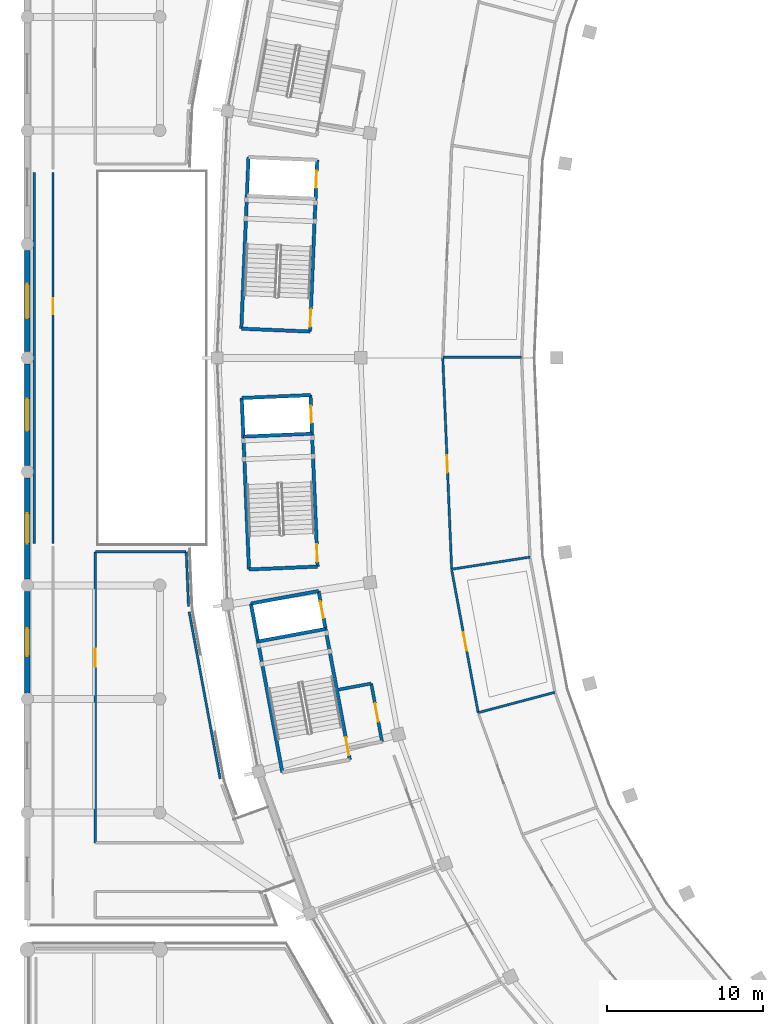
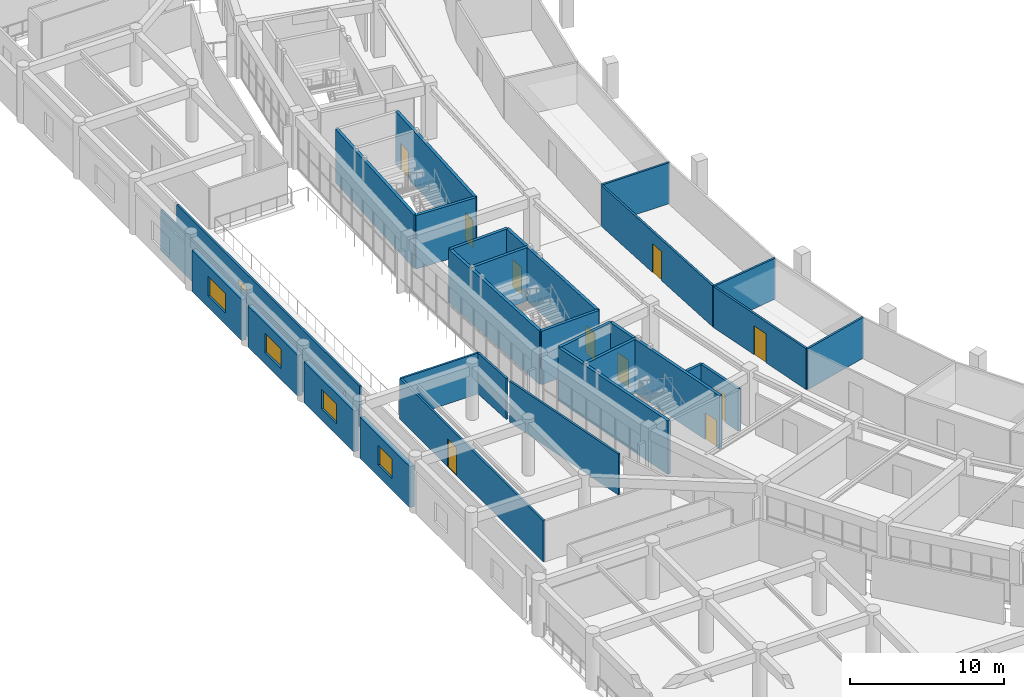
# One storey, part 94 of 141: 29 walls, 11 doors, 4 windows, 15 openings.
"""IFC4 building model written with IfcOpenShell, lengths in metres."""

from ifc_helpers import new_model, si_unit, direction, frame, frame_2d, origin, place, context, subcontext, project, spatial, rectangle, extrude, material, layer, layer_set, type_object, element, fill, save


model = new_model("IFC4")

# Units and contexts
model_context = context("Model", 3, precision=1e-05, world=origin(), true_north=direction((0.0, 1.0)))
body_context = subcontext(model_context, "Body", "Model", "MODEL_VIEW")
ifc_project = project(units=[si_unit("LENGTHUNIT", "METRE"), si_unit("AREAUNIT", "SQUARE_METRE"), si_unit("VOLUMEUNIT", "CUBIC_METRE"), si_unit("PLANEANGLEUNIT", "RADIAN"), si_unit("MASSUNIT", "GRAM", prefix="KILO")], contexts=[model_context])

# Site, building, storey
site_placement = place(None, origin())
site = spatial("IfcSite", under=ifc_project, at=site_placement, CompositionType="ELEMENT")
building_placement = place(site_placement, origin())
building = spatial("IfcBuilding", under=site, at=building_placement, Name="Mphavela Belvedere Stadium", CompositionType="ELEMENT")
storey_placement = place(building_placement, frame((0.0, 0.0, 14.699951171875)))
storey = spatial("IfcBuildingStorey", under=building, at=storey_placement, Name="L03", CompositionType="ELEMENT", Elevation=14.699951171875)

# Walls
ifc_material_1 = material(Name="Concrete C40/50", Category="concrete")
ifc_layer_1 = layer(ifc_material_1, 0.219970703125)
ifc_layer_set_1 = layer_set([ifc_layer_1], Name="Concrete C40/50")
wall_type_1 = type_object("IfcWallType", Name="WAL-CORE-SHEAR-220", PredefinedType="SHEAR", material=ifc_layer_set_1)
wall_1_placement = place(storey_placement, frame((13.737548828125, 88.87548828125, 0.0), z_axis=(0.0, 0.0, 1.0), x_axis=(0.041871977473, 0.999122984173, 0.0)))
element("IfcWall", 1, at=wall_1_placement, inside=storey, type_object=wall_type_1, Name="Core C07 shear wall L03 rear", PredefinedType="SHEAR", context=body_context, shape_type="SweptSolid", body=[
    extrude(rectangle(XDim=11.02001953125, YDim=0.219970703125, at=frame_2d((5.510009765625, 0.0))), origin(), (0.0, 0.0, 1.0), 4.25),
])
wall_2_placement = place(storey_placement, frame((18.143798828125, 88.69091796875, 0.0), z_axis=(0.0, 0.0, 1.0), x_axis=(-0.999123838087, 0.041851596941, 0.0)))
element("IfcWall", 2, at=wall_2_placement, inside=storey, type_object=wall_type_1, Name="Core C07 shear wall L03 left", PredefinedType="SHEAR", context=body_context, shape_type="SweptSolid", body=[
    extrude(rectangle(XDim=4.41015625, YDim=0.219970703125, at=frame_2d((2.205078125, 0.0))), origin(), (0.0, 0.0, 1.0), 4.25),
])

# Wall, openings, doors
wall_3_placement = place(storey_placement, frame((18.143798828125, 88.69091796875, 0.0), z_axis=(0.0, 0.0, 1.0), x_axis=(0.0418498618, 0.999123910768, 0.0)))
wall_3 = element("IfcWall", 3, at=wall_3_placement, inside=storey, type_object=wall_type_1, Name="Core C07 shear wall L03 front", PredefinedType="SHEAR", context=body_context, shape_type="SweptSolid", body=[
    extrude(rectangle(XDim=11.02001953125, YDim=0.219970703125, at=frame_2d((5.510009765625, 0.0))), origin(), (0.0, 0.0, 1.0), 4.25),
])
opening_1_placement = place(wall_3_placement, frame((0.300048828125, 0.0, 0.0)))
opening_1 = element("IfcOpeningElement", 4, at=opening_1_placement, cuts=wall_3, Name="Opening SD-036", PredefinedType="OPENING", context=body_context, shape_type="SweptSolid", body=[
    extrude(rectangle(XDim=1.14990234375, YDim=2.14990234375, at=frame_2d((0.574951171875, 1.074951171875))), frame((0.0, 0.1201171875, 0.0), z_axis=(0.0, -1.0, 0.0), x_axis=(1.0, 0.0, 0.0)), (0.0, 0.0, 1.0), 0.239990234375),
])
opening_2_placement = place(wall_3_placement, frame((9.22998046875, 0.0, 0.0)))
opening_2 = element("IfcOpeningElement", 5, at=opening_2_placement, cuts=wall_3, Name="Opening LD-036", PredefinedType="OPENING", context=body_context, shape_type="SweptSolid", body=[
    extrude(rectangle(XDim=1.10009765625, YDim=2.14990234375, at=frame_2d((0.550048828125, 1.074951171875))), frame((0.0, 0.1201171875, 0.0), z_axis=(0.0, -1.0, 0.0), x_axis=(1.0, 0.0, 0.0)), (0.0, 0.0, 1.0), 0.239990234375),
])
ifc_material_2 = material(Name="Stainless steel center-parting lift landing door", Category="steel")
door_type_1 = type_object("IfcDoorType", Name="DR-LIFT-SLIDE-1100", OperationType="NOTDEFINED", PredefinedType="DOOR", material=ifc_material_2)
door_1_placement = place(opening_2_placement, origin())
door_1 = element("IfcDoor", 6, at=door_1_placement, inside=storey, type_object=door_type_1, Name="Lift landing sliding door PL03 L03", OperationType="DOUBLE_DOOR_SLIDING", OverallHeight=2.14990234375, OverallWidth=1.10009765625, PredefinedType="DOOR", context=body_context, shape_type="SweptSolid", body=[
    extrude(rectangle(XDim=1.10009765625, YDim=2.14990234375, at=frame_2d((0.550048828125, 1.074951171875))), frame((0.0, 0.02490234375, 0.0), z_axis=(0.0, -1.0, 0.0), x_axis=(1.0, 0.0, 0.0)), (0.0, 0.0, 1.0), 0.050048828125),
])
fill(opening_2, door_1)
ifc_material_3 = material(Name="Steel acoustic fire-resisting stair doorset", Category="steel")
door_type_2 = type_object("IfcDoorType", Name="DR-STAIR-FIRE-1150", OperationType="NOTDEFINED", PredefinedType="DOOR", material=ifc_material_3)
door_2_placement = place(opening_1_placement, origin())
door_2 = element("IfcDoor", 7, at=door_2_placement, inside=storey, type_object=door_type_2, Name="Escape stair fire door C07 L03", OperationType="SINGLE_SWING_RIGHT", OverallHeight=2.14990234375, OverallWidth=1.14990234375, PredefinedType="DOOR", context=body_context, shape_type="SweptSolid", body=[
    extrude(rectangle(XDim=1.14990234375, YDim=2.14990234375, at=frame_2d((0.574951171875, 1.074951171875))), frame((0.0, 0.02490234375, 0.0), z_axis=(0.0, -1.0, 0.0), x_axis=(1.0, 0.0, 0.0)), (0.0, 0.0, 1.0), 0.050048828125),
])
fill(opening_1, door_2)

# Walls
wall_4_placement = place(storey_placement, frame((14.228271484375, 73.414794921875, 0.0), z_axis=(0.0, 0.0, 1.0), x_axis=(-0.041871977473, 0.999122984173, 0.0)))
element("IfcWall", 8, at=wall_4_placement, inside=storey, type_object=wall_type_1, Name="Core C08 shear wall L03 rear", PredefinedType="SHEAR", context=body_context, shape_type="SweptSolid", body=[
    extrude(rectangle(XDim=11.02001953125, YDim=0.219970703125, at=frame_2d((5.510009765625, 0.0))), origin(), (0.0, 0.0, 1.0), 4.25),
])
for number, where, z_axis, x_axis, name in (
    (9, (18.634521484375, 73.599609375, 0.0), (0.0, 0.0, 1.0), (-0.999121521721, -0.041906859039, 0.0), "Core C08 shear wall L03 left"),
    (10, (18.173095703125, 84.60986328125, 0.0), (0.0, 0.0, 1.0), (-0.999121521721, -0.041906859039, 0.0), "Core C08 shear wall L03 right"),
):
    element("IfcWall", number, at=place(storey_placement, frame(where, z_axis=z_axis, x_axis=x_axis)), inside=storey, type_object=wall_type_1, Name=name, PredefinedType="SHEAR", context=body_context, shape_type="SweptSolid", body=[
        extrude(rectangle(XDim=4.41015625, YDim=0.219970703125, at=frame_2d((2.205078125, 0.0))), origin(), (0.0, 0.0, 1.0), 4.25),
    ])

# Wall, openings, doors
wall_5_placement = place(storey_placement, frame((18.634521484375, 73.599609375, 0.0), z_axis=(0.0, 0.0, 1.0), x_axis=(-0.041871977473, 0.999122984173, 0.0)))
wall_5 = element("IfcWall", 11, at=wall_5_placement, inside=storey, type_object=wall_type_1, Name="Core C08 shear wall L03 front", PredefinedType="SHEAR", context=body_context, shape_type="SweptSolid", body=[
    extrude(rectangle(XDim=11.02001953125, YDim=0.219970703125, at=frame_2d((5.510009765625, 0.0))), origin(), (0.0, 0.0, 1.0), 4.25),
])
opening_3_placement = place(wall_5_placement, frame((0.300048828125, 0.0, 0.0)))
opening_3 = element("IfcOpeningElement", 12, at=opening_3_placement, cuts=wall_5, Name="Opening SD-042", PredefinedType="OPENING", context=body_context, shape_type="SweptSolid", body=[
    extrude(rectangle(XDim=1.14990234375, YDim=2.14990234375, at=frame_2d((0.574951171875, 1.074951171875))), frame((0.0, 0.1201171875, 0.0), z_axis=(0.0, -1.0, 0.0), x_axis=(1.0, 0.0, 0.0)), (0.0, 0.0, 1.0), 0.239990234375),
])
opening_4_placement = place(wall_5_placement, frame((9.22998046875, 0.0, 0.0)))
opening_4 = element("IfcOpeningElement", 13, at=opening_4_placement, cuts=wall_5, Name="Opening LD-042", PredefinedType="OPENING", context=body_context, shape_type="SweptSolid", body=[
    extrude(rectangle(XDim=1.10009765625, YDim=2.14990234375, at=frame_2d((0.550048828125, 1.074951171875))), frame((0.0, 0.1201171875, 0.0), z_axis=(0.0, -1.0, 0.0), x_axis=(1.0, 0.0, 0.0)), (0.0, 0.0, 1.0), 0.239990234375),
])
door_3_placement = place(opening_4_placement, origin())
door_3 = element("IfcDoor", 14, at=door_3_placement, inside=storey, type_object=door_type_1, Name="Lift landing sliding door PL04 L03", OperationType="DOUBLE_DOOR_SLIDING", OverallHeight=2.14990234375, OverallWidth=1.10009765625, PredefinedType="DOOR", context=body_context, shape_type="SweptSolid", body=[
    extrude(rectangle(XDim=1.10009765625, YDim=2.14990234375, at=frame_2d((0.550048828125, 1.074951171875))), frame((0.0, 0.02490234375, 0.0), z_axis=(0.0, -1.0, 0.0), x_axis=(1.0, 0.0, 0.0)), (0.0, 0.0, 1.0), 0.050048828125),
])
fill(opening_4, door_3)
door_4_placement = place(opening_3_placement, origin())
door_4 = element("IfcDoor", 15, at=door_4_placement, inside=storey, type_object=door_type_2, Name="Escape stair fire door C08 L03", OperationType="SINGLE_SWING_RIGHT", OverallHeight=2.14990234375, OverallWidth=1.14990234375, PredefinedType="DOOR", context=body_context, shape_type="SweptSolid", body=[
    extrude(rectangle(XDim=1.14990234375, YDim=2.14990234375, at=frame_2d((0.574951171875, 1.074951171875))), frame((0.0, 0.02490234375, 0.0), z_axis=(0.0, -1.0, 0.0), x_axis=(1.0, 0.0, 0.0)), (0.0, 0.0, 1.0), 0.050048828125),
])
fill(opening_3, door_4)

# Walls
wall_6_placement = place(storey_placement, frame((18.27685546875, 82.132080078125, 0.0), z_axis=(0.0, 0.0, 1.0), x_axis=(-0.999121521721, -0.041906859039, 0.0)))
element("IfcWall", 16, at=wall_6_placement, inside=storey, type_object=wall_type_1, Name="Core C08 shear wall L03 div", PredefinedType="SHEAR", context=body_context, shape_type="SweptSolid", body=[
    extrude(rectangle(XDim=4.41015625, YDim=0.219970703125, at=frame_2d((2.205078125, 0.0))), origin(), (0.0, 0.0, 1.0), 4.25),
])
wall_7_placement = place(storey_placement, frame((16.367919921875, 60.391845703125, 0.0), z_axis=(0.0, 0.0, 1.0), x_axis=(-0.182570778451, 0.983192712979, 0.0)))
element("IfcWall", 17, at=wall_7_placement, inside=storey, type_object=wall_type_1, Name="Core C09 shear wall L03 rear", PredefinedType="SHEAR", context=body_context, shape_type="SweptSolid", body=[
    extrude(rectangle(XDim=11.020263671875, YDim=0.219970703125, at=frame_2d((5.51025390625, 0.0))), origin(), (0.0, 0.0, 1.0), 4.25),
])
wall_8_placement = place(storey_placement, frame((18.69189453125, 72.031982421875, 0.0), z_axis=(0.0, 0.0, 1.0), x_axis=(-0.983191575486, -0.182576904051, 0.0)))
element("IfcWall", 18, at=wall_8_placement, inside=storey, type_object=wall_type_1, Name="Core C09 shear wall L03 right", PredefinedType="SHEAR", context=body_context, shape_type="SweptSolid", body=[
    extrude(rectangle(XDim=4.41015625, YDim=0.219970703125, at=frame_2d((2.205078125, 0.0))), origin(), (0.0, 0.0, 1.0), 4.25),
])

# Wall, openings, doors
wall_9_placement = place(storey_placement, frame((20.703857421875, 61.197021484375, 0.0), z_axis=(0.0, 0.0, 1.0), x_axis=(-0.182570778451, 0.983192712979, 0.0)))
wall_9 = element("IfcWall", 19, at=wall_9_placement, inside=storey, type_object=wall_type_1, Name="Core C09 shear wall L03 front", PredefinedType="SHEAR", context=body_context, shape_type="SweptSolid", body=[
    extrude(rectangle(XDim=11.020263671875, YDim=0.219970703125, at=frame_2d((5.51025390625, 0.0))), origin(), (0.0, 0.0, 1.0), 4.25),
])
opening_5_placement = place(wall_9_placement, frame((0.300048828125, 0.0, 0.0)))
opening_5 = element("IfcOpeningElement", 20, at=opening_5_placement, cuts=wall_9, Name="Opening SD-048", PredefinedType="OPENING", context=body_context, shape_type="SweptSolid", body=[
    extrude(rectangle(XDim=1.14990234375, YDim=2.14990234375, at=frame_2d((0.574951171875, 1.074951171875))), frame((0.0, 0.1201171875, 0.0), z_axis=(0.0, -1.0, 0.0), x_axis=(1.0, 0.0, 0.0)), (0.0, 0.0, 1.0), 0.239990234375),
])
opening_6_placement = place(wall_9_placement, frame((9.22998046875, 0.0, 0.0)))
opening_6 = element("IfcOpeningElement", 21, at=opening_6_placement, cuts=wall_9, Name="Opening LD-048", PredefinedType="OPENING", context=body_context, shape_type="SweptSolid", body=[
    extrude(rectangle(XDim=1.10009765625, YDim=2.14990234375, at=frame_2d((0.550048828125, 1.074951171875))), frame((0.0, 0.1201171875, 0.0), z_axis=(0.0, -1.0, 0.0), x_axis=(1.0, 0.0, 0.0)), (0.0, 0.0, 1.0), 0.239990234375),
])
door_5_placement = place(opening_6_placement, origin())
door_5 = element("IfcDoor", 22, at=door_5_placement, inside=storey, type_object=door_type_1, Name="Lift landing sliding door FL04 L03", OperationType="DOUBLE_DOOR_SLIDING", OverallHeight=2.14990234375, OverallWidth=1.10009765625, PredefinedType="DOOR", context=body_context, shape_type="SweptSolid", body=[
    extrude(rectangle(XDim=1.10009765625, YDim=2.14990234375, at=frame_2d((0.550048828125, 1.074951171875))), frame((0.0, 0.02490234375, 0.0), z_axis=(0.0, -1.0, 0.0), x_axis=(1.0, 0.0, 0.0)), (0.0, 0.0, 1.0), 0.050048828125),
])
fill(opening_6, door_5)
door_6_placement = place(opening_5_placement, origin())
door_6 = element("IfcDoor", 23, at=door_6_placement, inside=storey, type_object=door_type_2, Name="Escape stair fire door C09 L03", OperationType="SINGLE_SWING_LEFT", OverallHeight=2.14990234375, OverallWidth=1.14990234375, PredefinedType="DOOR", context=body_context, shape_type="SweptSolid", body=[
    extrude(rectangle(XDim=1.14990234375, YDim=2.14990234375, at=frame_2d((0.574951171875, 1.074951171875))), frame((0.0, 0.02490234375, 0.0), z_axis=(0.0, -1.0, 0.0), x_axis=(1.0, 0.0, 0.0)), (0.0, 0.0, 1.0), 0.050048828125),
])
fill(opening_5, door_6)

# Wall
wall_10_placement = place(storey_placement, frame((19.14453125, 69.593505859375, 0.0), z_axis=(0.0, 0.0, 1.0), x_axis=(-0.983189729951, -0.18258684213, 0.0)))
element("IfcWall", 24, at=wall_10_placement, inside=storey, type_object=wall_type_1, Name="Core C09 shear wall L03 div", PredefinedType="SHEAR", context=body_context, shape_type="SweptSolid", body=[
    extrude(rectangle(XDim=4.409912109375, YDim=0.219970703125, at=frame_2d((2.205078125, 0.0))), origin(), (0.0, 0.0, 1.0), 4.25),
])

# Wall, opening, window
ifc_material_4 = material(Name="Honed ashlar limestone masonry", Category="masonry")
ifc_layer_2 = layer(ifc_material_4, 0.35009765625)
ifc_layer_set_2 = layer_set([ifc_layer_2], Name="Honed ashlar limestone masonry")
wall_type_2 = type_object("IfcWallType", Name="WAL-EXT-ASHLAR-350", PredefinedType="STANDARD", material=ifc_layer_set_2)
wall_11_placement = place(storey_placement, frame((0.0, 65.498046875, 0.0), z_axis=(0.0, 0.0, 1.0), x_axis=(0.0, 1.0, 0.0)))
wall_11 = element("IfcWall", 25, at=wall_11_placement, inside=storey, type_object=wall_type_2, Name="West Planted Eaves Peristyle Colonnade outer facade bay L03-03", PredefinedType="STANDARD", context=body_context, shape_type="SweptSolid", body=[
    extrude(rectangle(XDim=6.50390625, YDim=0.35009765625, at=frame_2d((3.251953125, 0.0))), origin(), (0.0, 0.0, 1.0), 3.260009765625),
])
opening_7_placement = place(wall_11_placement, frame((2.35205078125, 0.0, 0.89990234375)))
opening_7 = element("IfcOpeningElement", 26, at=opening_7_placement, cuts=wall_11, Name="Opening W-270", PredefinedType="OPENING", context=body_context, shape_type="SweptSolid", body=[
    extrude(rectangle(XDim=1.800048828125, YDim=1.550048828125, at=frame_2d((0.89990234375, 0.77490234375))), frame((0.0, 0.18505859375, 0.0), z_axis=(0.0, -1.0, 0.0), x_axis=(1.0, 0.0, 0.0)), (0.0, 0.0, 1.0), 0.3701171875),
])
ifc_material_5 = material(Name="Bronze-anodised thermally broken aluminium window", Category="aluminium")
window_type_1 = type_object("IfcWindowType", Name="WIN-EXT-06", PartitioningType="SINGLE_PANEL", PredefinedType="WINDOW", material=ifc_material_5)
window_1_placement = place(opening_7_placement, origin())
window_1 = element("IfcWindow", 27, at=window_1_placement, inside=storey, type_object=window_type_1, Name="West Planted Eaves Peristyle Colonnade classical window W-270", OverallHeight=1.550048828125, OverallWidth=1.800048828125, PartitioningType="SINGLE_PANEL", PredefinedType="WINDOW", context=body_context, shape_type="SweptSolid", body=[
    extrude(rectangle(XDim=1.800048828125, YDim=1.550048828125, at=frame_2d((0.89990234375, 0.77490234375))), frame((0.0, 0.030029296875, 0.0), z_axis=(0.0, -1.0, 0.0), x_axis=(1.0, 0.0, 0.0)), (0.0, 0.0, 1.0), 0.06005859375),
])
fill(opening_7, window_1)

wall_12_placement = place(storey_placement, frame((0.0, 72.798095703125, 0.0), z_axis=(0.0, 0.0, 1.0), x_axis=(0.0, 1.0, 0.0)))
wall_12 = element("IfcWall", 28, at=wall_12_placement, inside=storey, type_object=wall_type_2, Name="West Planted Eaves Peristyle Colonnade outer facade bay L03-04", PredefinedType="STANDARD", context=body_context, shape_type="SweptSolid", body=[
    extrude(rectangle(XDim=6.50390625, YDim=0.35009765625, at=frame_2d((3.251953125, 0.0))), origin(), (0.0, 0.0, 1.0), 3.260009765625),
])
opening_8_placement = place(wall_12_placement, frame((2.281982421875, 0.0, 0.89990234375)))
opening_8 = element("IfcOpeningElement", 29, at=opening_8_placement, cuts=wall_12, Name="Opening W-271", PredefinedType="OPENING", context=body_context, shape_type="SweptSolid", body=[
    extrude(rectangle(XDim=1.93994140625, YDim=1.550048828125, at=frame_2d((0.969970703125, 0.77490234375))), frame((0.0, 0.18505859375, 0.0), z_axis=(0.0, -1.0, 0.0), x_axis=(1.0, 0.0, 0.0)), (0.0, 0.0, 1.0), 0.3701171875),
])
ifc_material_6 = material(Name="Bronze-anodised thermally broken aluminium window", Category="aluminium")
window_type_2 = type_object("IfcWindowType", Name="WIN-EXT-07", PartitioningType="SINGLE_PANEL", PredefinedType="WINDOW", material=ifc_material_6)
window_2_placement = place(opening_8_placement, origin())
window_2 = element("IfcWindow", 30, at=window_2_placement, inside=storey, type_object=window_type_2, Name="West Planted Eaves Peristyle Colonnade classical window W-271", OverallHeight=1.550048828125, OverallWidth=1.93994140625, PartitioningType="SINGLE_PANEL", PredefinedType="WINDOW", context=body_context, shape_type="SweptSolid", body=[
    extrude(rectangle(XDim=1.93994140625, YDim=1.550048828125, at=frame_2d((0.969970703125, 0.77490234375))), frame((0.0, 0.030029296875, 0.0), z_axis=(0.0, -1.0, 0.0), x_axis=(1.0, 0.0, 0.0)), (0.0, 0.0, 1.0), 0.06005859375),
])
fill(opening_8, window_2)

wall_13_placement = place(storey_placement, frame((0.0, 80.097900390625, 0.0), z_axis=(0.0, 0.0, 1.0), x_axis=(0.0, 1.0, 0.0)))
wall_13 = element("IfcWall", 31, at=wall_13_placement, inside=storey, type_object=wall_type_2, Name="West Planted Eaves Peristyle Colonnade outer facade bay L03-05", PredefinedType="STANDARD", context=body_context, shape_type="SweptSolid", body=[
    extrude(rectangle(XDim=6.504150390625, YDim=0.35009765625, at=frame_2d((3.251953125, 0.0))), origin(), (0.0, 0.0, 1.0), 3.260009765625),
])
opening_9_placement = place(wall_13_placement, frame((2.2119140625, 0.0, 0.89990234375)))
opening_9 = element("IfcOpeningElement", 32, at=opening_9_placement, cuts=wall_13, Name="Opening W-272", PredefinedType="OPENING", context=body_context, shape_type="SweptSolid", body=[
    extrude(rectangle(XDim=2.080078125, YDim=1.550048828125, at=frame_2d((1.0400390625, 0.77490234375))), frame((0.0, 0.18505859375, 0.0), z_axis=(0.0, -1.0, 0.0), x_axis=(1.0, 0.0, 0.0)), (0.0, 0.0, 1.0), 0.3701171875),
])
ifc_material_7 = material(Name="Bronze-anodised thermally broken aluminium window", Category="aluminium")
window_type_3 = type_object("IfcWindowType", Name="WIN-EXT-08", PartitioningType="SINGLE_PANEL", PredefinedType="WINDOW", material=ifc_material_7)
window_3_placement = place(opening_9_placement, origin())
window_3 = element("IfcWindow", 33, at=window_3_placement, inside=storey, type_object=window_type_3, Name="West Planted Eaves Peristyle Colonnade classical window W-272", OverallHeight=1.550048828125, OverallWidth=2.080078125, PartitioningType="SINGLE_PANEL", PredefinedType="WINDOW", context=body_context, shape_type="SweptSolid", body=[
    extrude(rectangle(XDim=2.080078125, YDim=1.550048828125, at=frame_2d((1.0400390625, 0.77490234375))), frame((0.0, 0.030029296875, 0.0), z_axis=(0.0, -1.0, 0.0), x_axis=(1.0, 0.0, 0.0)), (0.0, 0.0, 1.0), 0.06005859375),
])
fill(opening_9, window_3)

wall_14_placement = place(storey_placement, frame((0.0, 87.39794921875, 0.0), z_axis=(0.0, 0.0, 1.0), x_axis=(0.0, 1.0, 0.0)))
wall_14 = element("IfcWall", 34, at=wall_14_placement, inside=storey, type_object=wall_type_2, Name="West Planted Eaves Peristyle Colonnade outer facade bay L03-06", PredefinedType="STANDARD", context=body_context, shape_type="SweptSolid", body=[
    extrude(rectangle(XDim=6.504150390625, YDim=0.35009765625, at=frame_2d((3.251953125, 0.0))), origin(), (0.0, 0.0, 1.0), 3.260009765625),
])
opening_10_placement = place(wall_14_placement, frame((2.14208984375, 0.0, 0.89990234375)))
opening_10 = element("IfcOpeningElement", 35, at=opening_10_placement, cuts=wall_14, Name="Opening W-273", PredefinedType="OPENING", context=body_context, shape_type="SweptSolid", body=[
    extrude(rectangle(XDim=2.219970703125, YDim=1.550048828125, at=frame_2d((1.10986328125, 0.77490234375))), frame((0.0, 0.18505859375, 0.0), z_axis=(0.0, -1.0, 0.0), x_axis=(1.0, 0.0, 0.0)), (0.0, 0.0, 1.0), 0.3701171875),
])
ifc_material_8 = material(Name="Bronze-anodised thermally broken aluminium window", Category="aluminium")
window_type_4 = type_object("IfcWindowType", Name="WIN-EXT-09", PartitioningType="SINGLE_PANEL", PredefinedType="WINDOW", material=ifc_material_8)
window_4_placement = place(opening_10_placement, origin())
window_4 = element("IfcWindow", 36, at=window_4_placement, inside=storey, type_object=window_type_4, Name="West Planted Eaves Peristyle Colonnade classical window W-273", OverallHeight=1.550048828125, OverallWidth=2.219970703125, PartitioningType="SINGLE_PANEL", PredefinedType="WINDOW", context=body_context, shape_type="SweptSolid", body=[
    extrude(rectangle(XDim=2.219970703125, YDim=1.550048828125, at=frame_2d((1.10986328125, 0.77490234375))), frame((0.0, 0.030029296875, 0.0), z_axis=(0.0, -1.0, 0.0), x_axis=(1.0, 0.0, 0.0)), (0.0, 0.0, 1.0), 0.06005859375),
])
fill(opening_10, window_4)

# Wall, opening, door
ifc_material_9 = material(Name="Acoustic gypsum stud partition assembly")
ifc_layer_3 = layer(ifc_material_9, 0.14990234375)
ifc_layer_set_3 = layer_set([ifc_layer_3], Name="Acoustic gypsum stud partition assembly")
wall_type_3 = type_object("IfcWallType", Name="WAL-PART-150", PredefinedType="PARTITIONING", material=ifc_layer_set_3)
wall_15_placement = place(storey_placement, frame((27.2421875, 73.4287109375, 0.0), z_axis=(0.0, 0.0, 1.0), x_axis=(-0.041894479342, 0.999122040894, 0.0)))
wall_15 = element("IfcWall", 37, at=wall_15_placement, inside=storey, type_object=wall_type_3, Name="Room L03-98 corridor partition", PredefinedType="PARTITIONING", context=body_context, shape_type="SweptSolid", body=[
    extrude(rectangle(XDim=13.543212890625, YDim=0.14990234375, at=frame_2d((6.771484375, 0.0))), origin(), (0.0, 0.0, 1.0), 3.25),
])
opening_11_placement = place(wall_15_placement, frame((6.20166015625, 0.0, 0.0)))
opening_11 = element("IfcOpeningElement", 38, at=opening_11_placement, cuts=wall_15, Name="Opening ID-283", PredefinedType="OPENING", context=body_context, shape_type="SweptSolid", body=[
    extrude(rectangle(XDim=1.139892578125, YDim=2.300048828125, at=frame_2d((0.56982421875, 1.14990234375))), frame((0.0, 0.0849609375, 0.0), z_axis=(0.0, -1.0, 0.0), x_axis=(1.0, 0.0, 0.0)), (0.0, 0.0, 1.0), 0.169921875),
])
ifc_material_10 = material(Name="Hardwood acoustic timber doorset", Category="wood")
door_type_3 = type_object("IfcDoorType", Name="DR-INT-31", OperationType="NOTDEFINED", PredefinedType="DOOR", material=ifc_material_10)
door_7_placement = place(opening_11_placement, origin())
door_7 = element("IfcDoor", 39, at=door_7_placement, inside=storey, type_object=door_type_3, Name="Room L03-98 entrance door ID-283", OperationType="SINGLE_SWING_LEFT", OverallHeight=2.300048828125, OverallWidth=1.139892578125, PredefinedType="DOOR", context=body_context, shape_type="SweptSolid", body=[
    extrude(rectangle(XDim=1.139892578125, YDim=2.300048828125, at=frame_2d((0.56982421875, 1.14990234375))), frame((0.0, 0.02490234375, 0.0), z_axis=(0.0, -1.0, 0.0), x_axis=(1.0, 0.0, 0.0)), (0.0, 0.0, 1.0), 0.050048828125),
])
fill(opening_11, door_7)

wall_16_placement = place(storey_placement, frame((28.946533203125, 64.220947265625, 0.0), z_axis=(0.0, 0.0, 1.0), x_axis=(-0.182600545941, 0.983187184936, 0.0)))
wall_16 = element("IfcWall", 40, at=wall_16_placement, inside=storey, type_object=wall_type_3, Name="Room L03-100 corridor partition", PredefinedType="PARTITIONING", context=body_context, shape_type="SweptSolid", body=[
    extrude(rectangle(XDim=9.2841796875, YDim=0.14990234375, at=frame_2d((4.64208984375, 0.0))), origin(), (0.0, 0.0, 1.0), 3.25),
])
opening_12_placement = place(wall_16_placement, frame((4.052001953125, 0.0, 0.0)))
opening_12 = element("IfcOpeningElement", 41, at=opening_12_placement, cuts=wall_16, Name="Opening ID-284", PredefinedType="OPENING", context=body_context, shape_type="SweptSolid", body=[
    extrude(rectangle(XDim=1.179931640625, YDim=2.300048828125, at=frame_2d((0.58984375, 1.14990234375))), frame((0.0, 0.0849609375, 0.0), z_axis=(0.0, -1.0, 0.0), x_axis=(1.0, 0.0, 0.0)), (0.0, 0.0, 1.0), 0.169921875),
])
ifc_material_11 = material(Name="Hardwood acoustic timber doorset", Category="wood")
door_type_4 = type_object("IfcDoorType", Name="DR-INT-32", OperationType="NOTDEFINED", PredefinedType="DOOR", material=ifc_material_11)
door_8_placement = place(opening_12_placement, origin())
door_8 = element("IfcDoor", 42, at=door_8_placement, inside=storey, type_object=door_type_4, Name="Room L03-100 entrance door ID-284", OperationType="SINGLE_SWING_RIGHT", OverallHeight=2.300048828125, OverallWidth=1.179931640625, PredefinedType="DOOR", context=body_context, shape_type="SweptSolid", body=[
    extrude(rectangle(XDim=1.179931640625, YDim=2.300048828125, at=frame_2d((0.58984375, 1.14990234375))), frame((0.0, 0.02490234375, 0.0), z_axis=(0.0, -1.0, 0.0), x_axis=(1.0, 0.0, 0.0)), (0.0, 0.0, 1.0), 0.050048828125),
])
fill(opening_12, door_8)

wall_17_placement = place(storey_placement, frame((1.639892578125, 98.916748046875, 0.0), z_axis=(0.0, 0.0, 1.0), x_axis=(0.0, -1.0, 0.0)))
wall_17 = element("IfcWall", 43, at=wall_17_placement, inside=storey, type_object=wall_type_3, Name="Room L03-194 corridor partition", PredefinedType="PARTITIONING", context=body_context, shape_type="SweptSolid", body=[
    extrude(rectangle(XDim=23.83349609375, YDim=0.14990234375, at=frame_2d((11.916748046875, 0.0))), origin(), (0.0, 0.0, 1.0), 3.25),
])
opening_13_placement = place(wall_17_placement, frame((8.080810546875, 0.0, 0.0)))
opening_13 = element("IfcOpeningElement", 44, at=opening_13_placement, cuts=wall_17, Name="Opening ID-520", PredefinedType="OPENING", context=body_context, shape_type="SweptSolid", body=[
    extrude(rectangle(XDim=1.02001953125, YDim=2.199951171875, at=frame_2d((0.510009765625, 1.10009765625))), frame((0.0, 0.0849609375, 0.0), z_axis=(0.0, -1.0, 0.0), x_axis=(1.0, 0.0, 0.0)), (0.0, 0.0, 1.0), 0.169921875),
])
ifc_material_12 = material(Name="Hardwood acoustic timber doorset", Category="wood")
door_type_5 = type_object("IfcDoorType", Name="DR-INT-16", OperationType="NOTDEFINED", PredefinedType="DOOR", material=ifc_material_12)
door_9_placement = place(opening_13_placement, origin())
door_9 = element("IfcDoor", 45, at=door_9_placement, inside=storey, type_object=door_type_5, Name="Room L03-194 entrance door ID-520", OperationType="SINGLE_SWING_RIGHT", OverallHeight=2.199951171875, OverallWidth=1.02001953125, PredefinedType="DOOR", context=body_context, shape_type="SweptSolid", body=[
    extrude(rectangle(XDim=1.02001953125, YDim=2.199951171875, at=frame_2d((0.510009765625, 1.10009765625))), frame((0.0, 0.02490234375, 0.0), z_axis=(0.0, -1.0, 0.0), x_axis=(1.0, 0.0, 0.0)), (0.0, 0.0, 1.0), 0.050048828125),
])
fill(opening_13, door_9)

wall_18_placement = place(storey_placement, frame((4.360107421875, 55.860107421875, 0.0), z_axis=(0.0, 0.0, 1.0), x_axis=(0.0, 1.0, 0.0)))
wall_18 = element("IfcWall", 46, at=wall_18_placement, inside=storey, type_object=wall_type_3, Name="Room L03-197 corridor partition", PredefinedType="PARTITIONING", context=body_context, shape_type="SweptSolid", body=[
    extrude(rectangle(XDim=18.68994140625, YDim=0.14990234375, at=frame_2d((9.344970703125, 0.0))), origin(), (0.0, 0.0, 1.0), 3.25),
])
opening_14_placement = place(wall_18_placement, frame((11.3115234375, 0.0, 0.0)))
opening_14 = element("IfcOpeningElement", 47, at=opening_14_placement, cuts=wall_18, Name="Opening ID-523", PredefinedType="OPENING", context=body_context, shape_type="SweptSolid", body=[
    extrude(rectangle(XDim=1.139892578125, YDim=2.199951171875, at=frame_2d((0.56982421875, 1.10009765625))), frame((0.0, 0.0849609375, 0.0), z_axis=(0.0, -1.0, 0.0), x_axis=(1.0, 0.0, 0.0)), (0.0, 0.0, 1.0), 0.169921875),
])
ifc_material_13 = material(Name="Hardwood acoustic timber doorset", Category="wood")
door_type_6 = type_object("IfcDoorType", Name="DR-INT-19", OperationType="NOTDEFINED", PredefinedType="DOOR", material=ifc_material_13)
door_10_placement = place(opening_14_placement, origin())
door_10 = element("IfcDoor", 48, at=door_10_placement, inside=storey, type_object=door_type_6, Name="Room L03-197 entrance door ID-523", OperationType="SINGLE_SWING_LEFT", OverallHeight=2.199951171875, OverallWidth=1.139892578125, PredefinedType="DOOR", context=body_context, shape_type="SweptSolid", body=[
    extrude(rectangle(XDim=1.139892578125, YDim=2.199951171875, at=frame_2d((0.56982421875, 1.10009765625))), frame((0.0, 0.02490234375, 0.0), z_axis=(0.0, -1.0, 0.0), x_axis=(1.0, 0.0, 0.0)), (0.0, 0.0, 1.0), 0.050048828125),
])
fill(opening_14, door_10)

# Walls
wall_19_placement = place(storey_placement, frame((31.735595703125, 87.0400390625, 0.0), z_axis=(0.0, 0.0, 1.0), x_axis=(-1.0, 0.0, 0.0)))
element("IfcWall", 49, at=wall_19_placement, inside=storey, type_object=wall_type_3, Name="Room divider partition L03-0508", PredefinedType="PARTITIONING", context=body_context, shape_type="SweptSolid", body=[
    extrude(rectangle(XDim=5.060791015625, YDim=0.14990234375, at=frame_2d((2.5302734375, 0.0))), origin(), (0.0, 0.0, 1.0), 3.25),
])
wall_20_placement = place(storey_placement, frame((32.2705078125, 74.20849609375, 0.0), z_axis=(0.0, 0.0, 1.0), x_axis=(-0.988187937952, -0.153246857342, 0.0)))
element("IfcWall", 50, at=wall_20_placement, inside=storey, type_object=wall_type_3, Name="Room divider partition L03-0510", PredefinedType="PARTITIONING", context=body_context, shape_type="SweptSolid", body=[
    extrude(rectangle(XDim=5.08837890625, YDim=0.14990234375, at=frame_2d((2.544189453125, 0.0))), origin(), (0.0, 0.0, 1.0), 3.25),
])
wall_21_placement = place(storey_placement, frame((33.877197265625, 65.528564453125, 0.0), z_axis=(0.0, 0.0, 1.0), x_axis=(-0.966586731076, -0.256339796576, 0.0)))
element("IfcWall", 51, at=wall_21_placement, inside=storey, type_object=wall_type_3, Name="Room divider partition L03-0512", PredefinedType="PARTITIONING", context=body_context, shape_type="SweptSolid", body=[
    extrude(rectangle(XDim=5.10107421875, YDim=0.14990234375, at=frame_2d((2.550537109375, 0.0))), origin(), (0.0, 0.0, 1.0), 3.25),
])
wall_22_placement = place(storey_placement, frame((0.449951171875, 75.083251953125, 0.0), z_axis=(0.0, 0.0, 1.0), x_axis=(0.0, 1.0, 0.0)))
element("IfcWall", 52, at=wall_22_placement, inside=storey, type_object=wall_type_3, Name="Room divider partition L03-1184", PredefinedType="PARTITIONING", context=body_context, shape_type="SweptSolid", body=[
    extrude(rectangle(XDim=23.83349609375, YDim=0.14990234375, at=frame_2d((11.916748046875, 0.0))), origin(), (0.0, 0.0, 1.0), 3.25),
])
wall_23_placement = place(storey_placement, frame((10.38671875, 70.698486328125, 0.0), z_axis=(0.0, 0.0, 1.0), x_axis=(0.182620957058, -0.983183393901, 0.0)))
element("IfcWall", 53, at=wall_23_placement, inside=storey, type_object=wall_type_3, Name="Room divider partition L03-1188", PredefinedType="PARTITIONING", context=body_context, shape_type="SweptSolid", body=[
    extrude(rectangle(XDim=10.90087890625, YDim=0.14990234375, at=frame_2d((5.450439453125, 0.0))), origin(), (0.0, 0.0, 1.0), 3.25),
])
wall_24_placement = place(storey_placement, frame((4.360107421875, 74.550048828125, 0.0), z_axis=(0.0, 0.0, 1.0), x_axis=(1.0, 0.0, 0.0)))
element("IfcWall", 54, at=wall_24_placement, inside=storey, type_object=wall_type_3, Name="Room divider partition L03-1191", PredefinedType="PARTITIONING", context=body_context, shape_type="SweptSolid", body=[
    extrude(rectangle(XDim=5.83984375, YDim=0.14990234375, at=frame_2d((2.919921875, 0.0))), origin(), (0.0, 0.0, 1.0), 3.25),
])
wall_25_placement = place(storey_placement, frame((10.199951171875, 74.550048828125, 0.0), z_axis=(0.0, 0.0, 1.0), x_axis=(0.041888559174, -0.999122289117, 0.0)))
element("IfcWall", 55, at=wall_25_placement, inside=storey, type_object=wall_type_3, Name="Room divider partition L03-1192", PredefinedType="PARTITIONING", context=body_context, shape_type="SweptSolid", body=[
    extrude(rectangle(XDim=3.5029296875, YDim=0.14990234375, at=frame_2d((1.75146484375, 0.0))), origin(), (0.0, 0.0, 1.0), 3.25),
])

# Wall, opening, door
ifc_material_14 = material(Name="Fire-rated calcium silicate partition assembly")
ifc_layer_4 = layer(ifc_material_14, 0.199951171875)
ifc_layer_set_4 = layer_set([ifc_layer_4], Name="Fire-rated calcium silicate partition assembly")
wall_type_4 = type_object("IfcWallType", Name="WAL-PART-FF-200", PredefinedType="PARTITIONING", material=ifc_layer_set_4)
wall_26_placement = place(storey_placement, frame((22.7724609375, 62.354248046875, 0.0), z_axis=(0.0, 0.0, 1.0), x_axis=(-0.182593081072, 0.983188571305, 0.0)))
wall_26 = element("IfcWall", 56, at=wall_26_placement, inside=storey, type_object=wall_type_4, Name="Firefighting lobby front wall C09 L03", PredefinedType="PARTITIONING", context=body_context, shape_type="SweptSolid", body=[
    extrude(rectangle(XDim=3.800048828125, YDim=0.199951171875, at=frame_2d((1.89990234375, 0.0))), origin(), (0.0, 0.0, 1.0), 3.35009765625),
])
opening_15_placement = place(wall_26_placement, frame((1.300048828125, 0.0, 0.0)))
opening_15 = element("IfcOpeningElement", 57, at=opening_15_placement, cuts=wall_26, Name="Opening FD-020", PredefinedType="OPENING", context=body_context, shape_type="SweptSolid", body=[
    extrude(rectangle(XDim=1.199951171875, YDim=2.179931640625, at=frame_2d((0.60009765625, 1.08984375))), frame((0.0, 0.10986328125, 0.0), z_axis=(0.0, -1.0, 0.0), x_axis=(1.0, 0.0, 0.0)), (0.0, 0.0, 1.0), 0.219970703125),
])
ifc_material_15 = material(Name="Steel smoke-sealed firefighting lobby doorset", Category="steel")
door_type_7 = type_object("IfcDoorType", Name="DR-FF-LOBBY-1200", OperationType="NOTDEFINED", PredefinedType="DOOR", material=ifc_material_15)
door_11_placement = place(opening_15_placement, origin())
door_11 = element("IfcDoor", 58, at=door_11_placement, inside=storey, type_object=door_type_7, Name="Firefighting lobby door C09 L03", OperationType="SINGLE_SWING_RIGHT", OverallHeight=2.179931640625, OverallWidth=1.199951171875, PredefinedType="DOOR", context=body_context, shape_type="SweptSolid", body=[
    extrude(rectangle(XDim=1.199951171875, YDim=2.179931640625, at=frame_2d((0.60009765625, 1.08984375))), frame((0.0, 0.02490234375, 0.0), z_axis=(0.0, -1.0, 0.0), x_axis=(1.0, 0.0, 0.0)), (0.0, 0.0, 1.0), 0.050048828125),
])
fill(opening_15, door_11)

# Wall
wall_27_placement = place(storey_placement, frame((22.07861328125, 66.09033203125, 0.0), z_axis=(0.0, 0.0, 1.0), x_axis=(-0.983201728106, -0.182522222892, 0.0)))
element("IfcWall", 59, at=wall_27_placement, inside=storey, type_object=wall_type_4, Name="Firefighting lobby side wall R C09 L03", PredefinedType="PARTITIONING", context=body_context, shape_type="SweptSolid", body=[
    extrude(rectangle(XDim=2.1201171875, YDim=0.199951171875, at=frame_2d((1.06005859375, 0.0))), origin(), (0.0, 0.0, 1.0), 3.35009765625),
])

save(model, "model.ifc")
